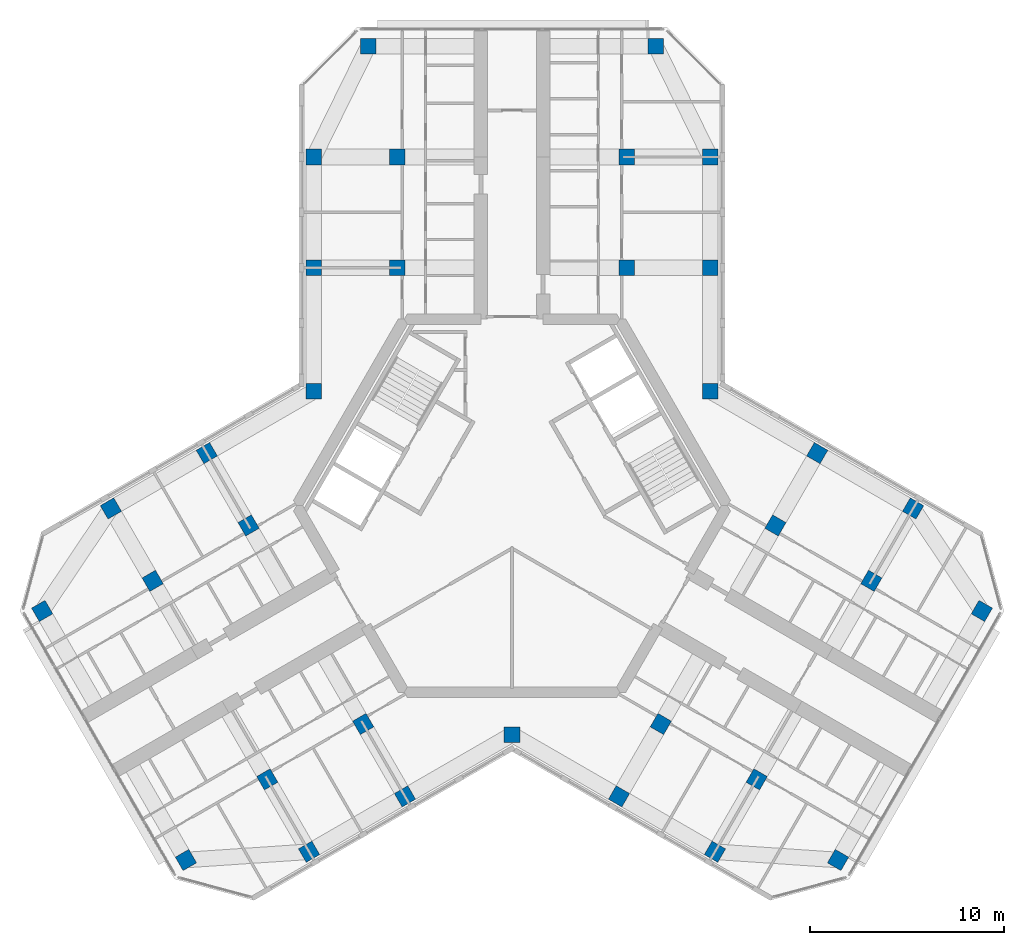
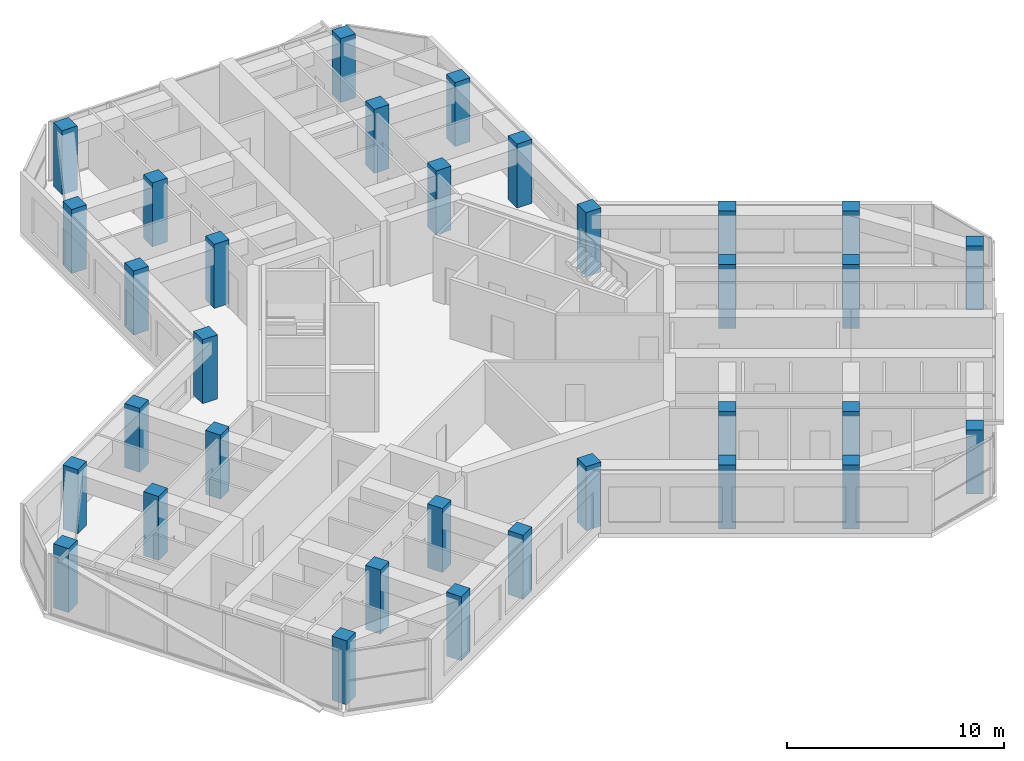
# One storey, part 1 of 14: 33 columns.
"""IFC4 building model written with IfcOpenShell, lengths in metres."""

from ifc_helpers import new_model, si_unit, direction, frame, origin, origin_2d, place, context, subcontext, project, spatial, rectangle, extrude, material, material_profile, profile_set, type_object, element, save


model = new_model("IFC4")

# Units and contexts
model_context = context("Model", 3, precision=1e-05, world=origin(), true_north=direction((0.0, 1.0)))
body_context = subcontext(model_context, "Body", "Model", "MODEL_VIEW")
ifc_project = project(units=[si_unit("LENGTHUNIT", "METRE"), si_unit("AREAUNIT", "SQUARE_METRE"), si_unit("VOLUMEUNIT", "CUBIC_METRE"), si_unit("PLANEANGLEUNIT", "RADIAN"), si_unit("MASSUNIT", "GRAM", prefix="KILO")], contexts=[model_context])

# Site, building, storey
site_placement = place(None, origin())
site = spatial("IfcSite", under=ifc_project, at=site_placement, CompositionType="ELEMENT")
building_placement = place(site_placement, origin())
building = spatial("IfcBuilding", under=site, at=building_placement, Name="Kosmar Iwan School Tower", CompositionType="ELEMENT")
storey_placement = place(building_placement, frame((0.0, 0.0, 274.60009765625)))
storey = spatial("IfcBuildingStorey", under=building, at=storey_placement, Name="L69", CompositionType="ELEMENT", Elevation=274.60009765625)

# Columns
ifc_material_1 = material(Name="Concrete C50/60", Category="concrete")
ifc_material_profile_1 = material_profile(ifc_material_1, rectangle(XDim=0.800048828125, YDim=0.800048828125, at=origin_2d()), Name="RC 800x800 + HE 300 M")
ifc_profile_set_1 = profile_set([ifc_material_profile_1], Name="Concrete C50/60")
column_type_1 = type_object("IfcColumnType", Name="Composite column 800x800 HE 300 M", PredefinedType="COLUMN", material=ifc_profile_set_1)
for number, where, z_axis, x_axis, name in (
    (1, (-10.199951171875, 12.25, 0.0), (0.0, 0.0, 1.0), (0.0, 1.0, 0.0), "Column AL1 L69"),
    (2, (-10.199951171875, 17.949951171875, 0.0), (0.0, 0.0, 1.0), (0.0, 1.0, 0.0), "Column AL2 L69"),
    (3, (-7.39990234375, 23.64990234375, 0.0), (0.0, 0.0, 1.0), (0.0, 1.0, 0.0), "Column ALTIP L69"),
    (4, (10.199951171875, 12.25, 0.0), (0.0, 0.0, 1.0), (0.0, 1.0, 0.0), "Column AR1 L69"),
    (5, (10.199951171875, 17.949951171875, 0.0), (0.0, 0.0, 1.0), (0.0, 1.0, 0.0), "Column AR2 L69"),
    (6, (7.39990234375, 23.64990234375, 0.0), (0.0, 0.0, 1.0), (0.0, 1.0, 0.0), "Column ARTIP L69"),
    (7, (-5.5087890625, -14.95849609375, 0.0), (0.0, 0.0, 1.0), (-0.866025403784, -0.5, 0.0), "Column BL1 L69"),
    (8, (-10.445068359375, -17.808349609375, 0.0), (0.0, 0.0, 1.0), (-0.866025403784, -0.5, 0.0), "Column BL2 L69"),
    (9, (-16.781494140625, -18.233642578125, 0.0), (0.0, 0.0, 1.0), (-0.866025403784, -0.5, 0.0), "Column BLTIP L69"),
    (10, (-15.708740234375, 2.70849609375, 0.0), (0.0, 0.0, 1.0), (-0.866025403784, -0.5, 0.0), "Column BR1 L69"),
    (11, (-20.645263671875, -0.1416015625, 0.0), (0.0, 0.0, 1.0), (-0.866025403784, -0.5, 0.0), "Column BR2 L69"),
    (12, (-24.181396484375, -5.41650390625, 0.0), (0.0, 0.0, 1.0), (-0.866025403784, -0.5, 0.0), "Column BRTIP L69"),
    (13, (15.708740234375, 2.70849609375, 0.0), (0.0, 0.0, 1.0), (0.866025403784, -0.5, 0.0), "Column CL1 L69"),
    (14, (20.645263671875, -0.1416015625, 0.0), (0.0, 0.0, 1.0), (0.866025403784, -0.5, 0.0), "Column CL2 L69"),
    (15, (24.181396484375, -5.41650390625, 0.0), (0.0, 0.0, 1.0), (0.866025403784, -0.5, 0.0), "Column CLTIP L69"),
    (16, (5.5087890625, -14.95849609375, 0.0), (0.0, 0.0, 1.0), (0.866025403784, -0.5, 0.0), "Column CR1 L69"),
    (17, (10.445068359375, -17.808349609375, 0.0), (0.0, 0.0, 1.0), (0.866025403784, -0.5, 0.0), "Column CR2 L69"),
    (18, (16.781494140625, -18.233642578125, 0.0), (0.0, 0.0, 1.0), (0.866025403784, -0.5, 0.0), "Column CRTIP L69"),
    (19, (-10.199951171875, 5.888916015625, 0.0), (0.0, 0.0, 1.0), (1.0, 0.0, 0.0), "Column RAB L69"),
    (20, (10.199951171875, 5.888916015625, 0.0), (0.0, 0.0, 1.0), (1.0, 0.0, 0.0), "Column RAC L69"),
    (21, (0.0, -11.77783203125, 0.0), (0.0, 0.0, 1.0), (1.0, 0.0, 0.0), "Column RBC L69"),
):
    element("IfcColumn", number, at=place(storey_placement, frame(where, z_axis=z_axis, x_axis=x_axis)), inside=storey, type_object=column_type_1, Name=name, PredefinedType="COLUMN", context=body_context, shape_type="SweptSolid", body=[
        extrude(rectangle(XDim=0.800048828125, YDim=0.800048828125, at=origin_2d()), origin(), (0.0, 0.0, 1.0), 3.599853515625),
    ])
ifc_material_2 = material(Name="Concrete C50/60", Category="concrete")
ifc_material_profile_2 = material_profile(ifc_material_2, rectangle(XDim=0.800048828125, YDim=0.800048828125, at=origin_2d()), Name="RC 800x800")
ifc_profile_set_2 = profile_set([ifc_material_profile_2], Name="Concrete C50/60")
column_type_2 = type_object("IfcColumnType", Name="RC interior column 800x800", PredefinedType="COLUMN", material=ifc_profile_set_2)
for number, where, z_axis, x_axis, name in (
    (22, (-5.89990234375, 12.25, 0.0), (0.0, 0.0, 1.0), (0.0, 1.0, 0.0), "Interior column ALI1 L69"),
    (23, (-5.89990234375, 17.949951171875, 0.0), (0.0, 0.0, 1.0), (0.0, 1.0, 0.0), "Interior column ALI2 L69"),
    (24, (5.89990234375, 12.25, 0.0), (0.0, 0.0, 1.0), (0.0, 1.0, 0.0), "Interior column ARI1 L69"),
    (25, (5.89990234375, 17.949951171875, 0.0), (0.0, 0.0, 1.0), (0.0, 1.0, 0.0), "Interior column ARI2 L69"),
    (26, (-7.65869140625, -11.234619140625, 0.0), (0.0, 0.0, 1.0), (-0.866025403784, -0.5, 0.0), "Interior column BLI1 L69"),
    (27, (-12.59521484375, -14.08447265625, 0.0), (0.0, 0.0, 1.0), (-0.866025403784, -0.5, 0.0), "Interior column BLI2 L69"),
    (28, (-13.558837890625, -1.015380859375, 0.0), (0.0, 0.0, 1.0), (-0.866025403784, -0.5, 0.0), "Interior column BRI1 L69"),
    (29, (-18.4951171875, -3.865478515625, 0.0), (0.0, 0.0, 1.0), (-0.866025403784, -0.5, 0.0), "Interior column BRI2 L69"),
    (30, (13.558837890625, -1.015380859375, 0.0), (0.0, 0.0, 1.0), (0.866025403784, -0.5, 0.0), "Interior column CLI1 L69"),
    (31, (18.4951171875, -3.865478515625, 0.0), (0.0, 0.0, 1.0), (0.866025403784, -0.5, 0.0), "Interior column CLI2 L69"),
    (32, (7.65869140625, -11.234619140625, 0.0), (0.0, 0.0, 1.0), (0.866025403784, -0.5, 0.0), "Interior column CRI1 L69"),
    (33, (12.59521484375, -14.08447265625, 0.0), (0.0, 0.0, 1.0), (0.866025403784, -0.5, 0.0), "Interior column CRI2 L69"),
):
    element("IfcColumn", number, at=place(storey_placement, frame(where, z_axis=z_axis, x_axis=x_axis)), inside=storey, type_object=column_type_2, Name=name, PredefinedType="COLUMN", context=body_context, shape_type="SweptSolid", body=[
        extrude(rectangle(XDim=0.800048828125, YDim=0.800048828125, at=origin_2d()), origin(), (0.0, 0.0, 1.0), 3.599853515625),
    ])

save(model, "model.ifc")
